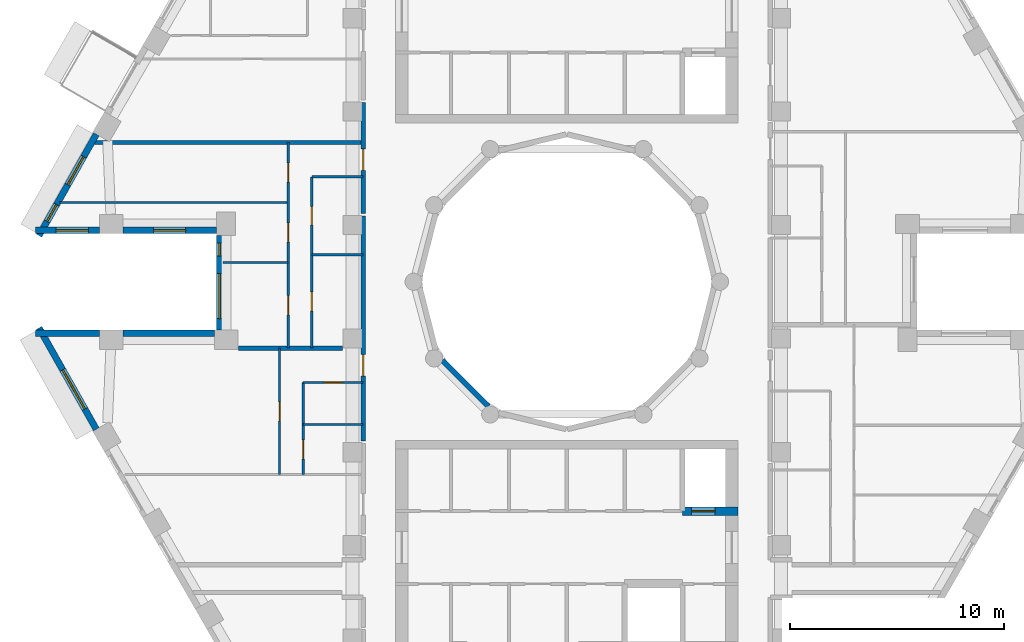
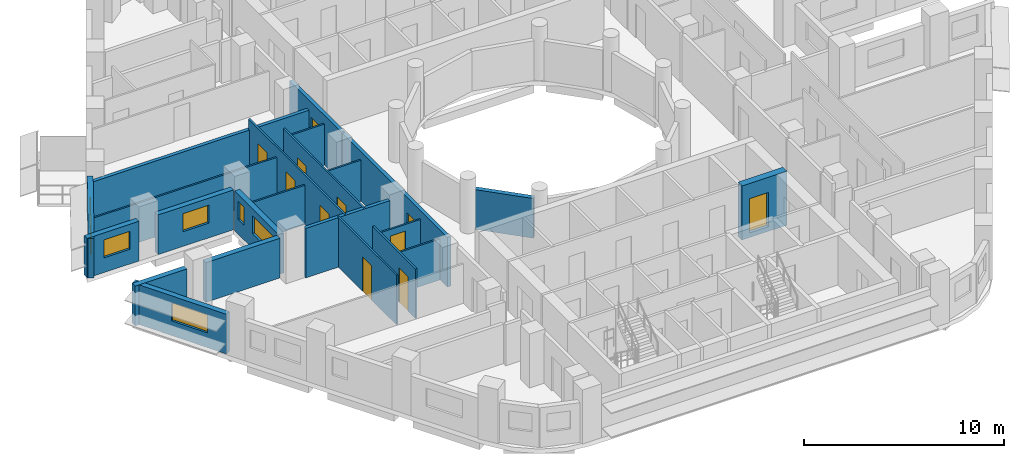
# One storey, part 4 of 13: 23 walls, 11 doors, 7 windows, 18 openings.
"""IFC4 building model written with IfcOpenShell, lengths in metres."""

from ifc_helpers import new_model, si_unit, direction, frame, frame_2d, origin, place, context, subcontext, project, spatial, rectangle, extrude, material, layer, layer_set, type_object, element, fill, save


model = new_model("IFC4")

# Units and contexts
model_context = context("Model", 3, precision=1e-05, world=origin(), true_north=direction((0.0, 1.0)))
body_context = subcontext(model_context, "Body", "Model", "MODEL_VIEW")
ifc_project = project(units=[si_unit("LENGTHUNIT", "METRE"), si_unit("AREAUNIT", "SQUARE_METRE"), si_unit("VOLUMEUNIT", "CUBIC_METRE"), si_unit("PLANEANGLEUNIT", "RADIAN"), si_unit("MASSUNIT", "GRAM", prefix="KILO")], contexts=[model_context])

# Site, building, storey
site_placement = place(None, origin())
site = spatial("IfcSite", under=ifc_project, at=site_placement, CompositionType="ELEMENT")
building_placement = place(site_placement, origin())
building = spatial("IfcBuilding", under=site, at=building_placement, Name="Nakaniwa Court", CompositionType="ELEMENT")
storey_placement = place(building_placement, frame((0.0, 0.0, 239.39990234375)))
storey = spatial("IfcBuildingStorey", under=building, at=storey_placement, Name="L62", CompositionType="ELEMENT", Elevation=239.39990234375)

# Wall, opening, door
ifc_material_1 = material(Name="Acoustic double stud partition")
ifc_layer_1 = layer(ifc_material_1, 0.199951171875)
ifc_layer_set_1 = layer_set([ifc_layer_1], Name="Acoustic double stud partition")
wall_type_1 = type_object("IfcWallType", Name="Acoustic double stud partition 200", PredefinedType="PARTITIONING", material=ifc_layer_set_1)
wall_1_placement = place(storey_placement, frame((70.5, 72.576904296875, 0.0), z_axis=(0.0, 0.0, 1.0), x_axis=(0.0, 1.0, 0.0)))
wall_1 = element("IfcWall", 1, at=wall_1_placement, inside=storey, type_object=wall_type_1, Name="Partition PW-094", PredefinedType="PARTITIONING", context=body_context, shape_type="SweptSolid", body=[
    extrude(rectangle(XDim=10.486083984375, YDim=0.199951171875, at=frame_2d((5.2431640625, 0.0))), origin(), (0.0, 0.0, 1.0), 3.025146484375),
])
opening_1_placement = place(wall_1_placement, frame((3.02294921875, 0.0, 0.0)))
opening_1 = element("IfcOpeningElement", 2, at=opening_1_placement, cuts=wall_1, Name="Opening D-01-03", PredefinedType="OPENING", context=body_context, shape_type="SweptSolid", body=[
    extrude(rectangle(XDim=1.0, YDim=2.10009765625, at=frame_2d((0.5, 1.050048828125))), frame((0.0, 0.10986328125, 0.0), z_axis=(0.0, -1.0, 0.0), x_axis=(1.0, 0.0, 0.0)), (0.0, 0.0, 1.0), 0.219970703125),
])
ifc_material_2 = material(Name="Solid core timber door set, black veneer", Category="wood")
door_type_1 = type_object("IfcDoorType", Name="Flat entrance door 1000", OperationType="NOTDEFINED", PredefinedType="DOOR", material=ifc_material_2)
door_1_placement = place(opening_1_placement, origin())
door_1 = element("IfcDoor", 3, at=door_1_placement, inside=storey, type_object=door_type_1, Name="Door D-01-03 L62-045", OperationType="SINGLE_SWING_RIGHT", OverallHeight=2.10009765625, OverallWidth=1.0, PredefinedType="DOOR", context=body_context, shape_type="SweptSolid", body=[
    extrude(rectangle(XDim=1.0, YDim=2.10009765625, at=frame_2d((0.5, 1.050048828125))), frame((0.0, 0.02490234375, 0.0), z_axis=(0.0, -1.0, 0.0), x_axis=(1.0, 0.0, 0.0)), (0.0, 0.0, 1.0), 0.050048828125),
])
fill(opening_1, door_1)

wall_2_placement = place(storey_placement, frame((70.5, 83.177001953125, 0.0), z_axis=(0.0, 0.0, 1.0), x_axis=(0.0, 1.0, 0.0)))
wall_2 = element("IfcWall", 4, at=wall_2_placement, inside=storey, type_object=wall_type_1, Name="Partition PW-095", PredefinedType="PARTITIONING", context=body_context, shape_type="SweptSolid", body=[
    extrude(rectangle(XDim=5.18603515625, YDim=0.199951171875, at=frame_2d((2.593017578125, 0.0))), origin(), (0.0, 0.0, 1.0), 3.025146484375),
])
opening_2_placement = place(wall_2_placement, frame((2.02294921875, 0.0, 0.0)))
opening_2 = element("IfcOpeningElement", 5, at=opening_2_placement, cuts=wall_2, Name="Opening D-01-04", PredefinedType="OPENING", context=body_context, shape_type="SweptSolid", body=[
    extrude(rectangle(XDim=1.0, YDim=2.10009765625, at=frame_2d((0.5, 1.050048828125))), frame((0.0, 0.10986328125, 0.0), z_axis=(0.0, -1.0, 0.0), x_axis=(1.0, 0.0, 0.0)), (0.0, 0.0, 1.0), 0.219970703125),
])
door_2_placement = place(opening_2_placement, origin())
door_2 = element("IfcDoor", 6, at=door_2_placement, inside=storey, type_object=door_type_1, Name="Door D-01-04 L62-049", OperationType="SINGLE_SWING_RIGHT", OverallHeight=2.10009765625, OverallWidth=1.0, PredefinedType="DOOR", context=body_context, shape_type="SweptSolid", body=[
    extrude(rectangle(XDim=1.0, YDim=2.10009765625, at=frame_2d((0.5, 1.050048828125))), frame((0.0, 0.02490234375, 0.0), z_axis=(0.0, -1.0, 0.0), x_axis=(1.0, 0.0, 0.0)), (0.0, 0.0, 1.0), 0.050048828125),
])
fill(opening_2, door_2)

# Walls
wall_3_placement = place(storey_placement, frame((64.67041015625, 76.89990234375, 0.0), z_axis=(0.0, 0.0, 1.0), x_axis=(1.0, 0.0, 0.0)))
element("IfcWall", 7, at=wall_3_placement, inside=storey, type_object=wall_type_1, Name="Partition PW-118", PredefinedType="PARTITIONING", context=body_context, shape_type="SweptSolid", body=[
    extrude(rectangle(XDim=4.859619140625, YDim=0.199951171875, at=frame_2d((2.4296875, 0.0))), origin(), (0.0, 0.0, 1.0), 3.025146484375),
])
wall_4_placement = place(storey_placement, frame((57.9453125, 86.5, 0.0), z_axis=(0.0, 0.0, 1.0), x_axis=(1.0, 0.0, 0.0)))
element("IfcWall", 8, at=wall_4_placement, inside=storey, type_object=wall_type_1, Name="Partition PW-123", PredefinedType="PARTITIONING", context=body_context, shape_type="SweptSolid", body=[
    extrude(rectangle(XDim=12.5546875, YDim=0.199951171875, at=frame_2d((6.27734375, 0.0))), origin(), (0.0, 0.0, 1.0), 2.405029296875),
])

# Wall, openings, windows
ifc_material_3 = material(Name="Charcoal ceramic cladding")
ifc_layer_2 = layer(ifc_material_3, 0.02, Name="Ceramic cladding")
ifc_material_4 = material(Name="Ventilated air cavity")
ifc_layer_3 = layer(ifc_material_4, 0.04, ventilated=True, Name="Ventilated cavity")
ifc_material_5 = material(Name="Mineral wool insulation")
ifc_layer_4 = layer(ifc_material_5, 0.1, Name="Insulation")
ifc_material_6 = material(Name="Cement bonded sheathing board")
ifc_layer_5 = layer(ifc_material_6, 0.012, Name="Sheathing")
ifc_material_7 = material(Name="Cold-formed galvanised stud frame with mineral wool infill")
ifc_layer_6 = layer(ifc_material_7, 0.1, Name="Stud frame")
ifc_material_8 = material(Name="Fire-rated gypsum plasterboard lining")
ifc_layer_7 = layer(ifc_material_8, 0.028, Name="Lining")
ifc_layer_set_2 = layer_set([ifc_layer_2, ifc_layer_3, ifc_layer_4, ifc_layer_5, ifc_layer_6, ifc_layer_7], Name="Charcoal ceramic faced external wall system")
wall_type_2 = type_object("IfcWallType", Name="Black ceramic faced external wall 300", PredefinedType="SOLIDWALL", material=ifc_layer_set_2)
wall_5_placement = place(storey_placement, frame((58.048095703125, 86.886474609375, 0.0), z_axis=(0.0, 0.0, 1.0), x_axis=(-0.492080931903, -0.870549456641, 0.0)))
wall_5 = element("IfcWall", 9, at=wall_5_placement, inside=storey, type_object=wall_type_2, Name="L62 external wall 14", PredefinedType="SOLIDWALL", context=body_context, shape_type="SweptSolid", body=[
    extrude(rectangle(XDim=5.436767578125, YDim=0.300048828125, at=frame_2d((2.71826171875, 0.0))), origin(), (0.0, 0.0, 1.0), 2.425048828125),
])
opening_3_placement = place(wall_5_placement, frame((1.2060546875, 0.0, 0.89990234375)))
opening_3 = element("IfcOpeningElement", 10, at=opening_3_placement, cuts=wall_5, Name="Opening W5.13", PredefinedType="OPENING", context=body_context, shape_type="SweptSolid", body=[
    extrude(rectangle(XDim=1.5, YDim=1.10009765625, at=frame_2d((0.75, 0.550048828125))), frame((0.0, 0.159912109375, 0.0), z_axis=(0.0, -1.0, 0.0), x_axis=(1.0, 0.0, 0.0)), (0.0, 0.0, 1.0), 0.320068359375),
])
opening_4_placement = place(wall_5_placement, frame((3.774658203125, 0.0, 0.89990234375)))
opening_4 = element("IfcOpeningElement", 11, at=opening_4_placement, cuts=wall_5, Name="Opening W9.14", PredefinedType="OPENING", context=body_context, shape_type="SweptSolid", body=[
    extrude(rectangle(XDim=0.89990234375, YDim=1.10009765625, at=frame_2d((0.449951171875, 0.550048828125))), frame((0.0, 0.159912109375, 0.0), z_axis=(0.0, -1.0, 0.0), x_axis=(1.0, 0.0, 0.0)), (0.0, 0.0, 1.0), 0.320068359375),
])
ifc_material_9 = material(Name="Black anodised aluminium frame with dark low-E laminated double glazing", Category="aluminium")
window_type_1 = type_object("IfcWindowType", Name="Dark glass window 1500x1100 sill 900", PartitioningType="SINGLE_PANEL", PredefinedType="WINDOW", material=ifc_material_9)
window_1_placement = place(opening_3_placement, origin())
window_1 = element("IfcWindow", 12, at=window_1_placement, inside=storey, type_object=window_type_1, Name="L62 bedroom window 14-1", OverallHeight=1.10009765625, OverallWidth=1.5, PartitioningType="SINGLE_PANEL", PredefinedType="WINDOW", context=body_context, shape_type="SweptSolid", body=[
    extrude(rectangle(XDim=1.5, YDim=1.10009765625, at=frame_2d((0.75, 0.550048828125))), frame((0.0, 0.030029296875, 0.0), z_axis=(0.0, -1.0, 0.0), x_axis=(1.0, 0.0, 0.0)), (0.0, 0.0, 1.0), 0.06005859375),
])
fill(opening_3, window_1)
window_type_2 = type_object("IfcWindowType", Name="Dark glass window 900x1100 sill 900", PartitioningType="SINGLE_PANEL", PredefinedType="WINDOW", material=ifc_material_9)
window_2_placement = place(opening_4_placement, origin())
window_2 = element("IfcWindow", 13, at=window_2_placement, inside=storey, type_object=window_type_2, Name="L62 bedroom window 14-2", OverallHeight=1.10009765625, OverallWidth=0.89990234375, PartitioningType="SINGLE_PANEL", PredefinedType="WINDOW", context=body_context, shape_type="SweptSolid", body=[
    extrude(rectangle(XDim=0.89990234375, YDim=1.10009765625, at=frame_2d((0.449951171875, 0.550048828125))), frame((0.0, 0.030029296875, 0.0), z_axis=(0.0, -1.0, 0.0), x_axis=(1.0, 0.0, 0.0)), (0.0, 0.0, 1.0), 0.06005859375),
])
fill(opening_4, window_2)

# Wall, opening, window
wall_6_placement = place(storey_placement, frame((55.2021484375, 82.39990234375, 0.0), z_axis=(0.0, 0.0, 1.0), x_axis=(1.0, 0.0, 0.0)))
wall_6 = element("IfcWall", 14, at=wall_6_placement, inside=storey, type_object=wall_type_2, Name="L62 external wall 15", PredefinedType="SOLIDWALL", context=body_context, shape_type="SweptSolid", body=[
    extrude(rectangle(XDim=2.98779296875, YDim=0.300048828125, at=frame_2d((1.493896484375, 0.0))), origin(), (0.0, 0.0, 1.0), 2.425048828125),
])
opening_5_placement = place(wall_6_placement, frame((0.968994140625, 0.0, 0.89990234375)))
opening_5 = element("IfcOpeningElement", 15, at=opening_5_placement, cuts=wall_6, Name="Opening W5.15", PredefinedType="OPENING", context=body_context, shape_type="SweptSolid", body=[
    extrude(rectangle(XDim=1.5, YDim=1.10009765625, at=frame_2d((0.75, 0.550048828125))), frame((0.0, 0.159912109375, 0.0), z_axis=(0.0, -1.0, 0.0), x_axis=(1.0, 0.0, 0.0)), (0.0, 0.0, 1.0), 0.320068359375),
])
window_3_placement = place(opening_5_placement, origin())
window_3 = element("IfcWindow", 16, at=window_3_placement, inside=storey, type_object=window_type_1, Name="L62 bedroom window 15-0", OverallHeight=1.10009765625, OverallWidth=1.5, PartitioningType="SINGLE_PANEL", PredefinedType="WINDOW", context=body_context, shape_type="SweptSolid", body=[
    extrude(rectangle(XDim=1.5, YDim=1.10009765625, at=frame_2d((0.75, 0.550048828125))), frame((0.0, 0.030029296875, 0.0), z_axis=(0.0, -1.0, 0.0), x_axis=(1.0, 0.0, 0.0)), (0.0, 0.0, 1.0), 0.06005859375),
])
fill(opening_5, window_3)

wall_7_placement = place(storey_placement, frame((59.281982421875, 82.39990234375, 0.0), z_axis=(0.0, 0.0, 1.0), x_axis=(1.0, 0.0, 0.0)))
wall_7 = element("IfcWall", 17, at=wall_7_placement, inside=storey, type_object=wall_type_2, Name="L62 external wall 16", PredefinedType="SOLIDWALL", context=body_context, shape_type="SweptSolid", body=[
    extrude(rectangle(XDim=4.37255859375, YDim=0.300048828125, at=frame_2d((2.186279296875, 0.0))), origin(), (0.0, 0.0, 1.0), 2.425048828125),
])
opening_6_placement = place(wall_7_placement, frame((1.436279296875, 0.0, 0.89990234375)))
opening_6 = element("IfcOpeningElement", 18, at=opening_6_placement, cuts=wall_7, Name="Opening W5.16", PredefinedType="OPENING", context=body_context, shape_type="SweptSolid", body=[
    extrude(rectangle(XDim=1.5, YDim=1.10009765625, at=frame_2d((0.75, 0.550048828125))), frame((0.0, 0.159912109375, 0.0), z_axis=(0.0, -1.0, 0.0), x_axis=(1.0, 0.0, 0.0)), (0.0, 0.0, 1.0), 0.320068359375),
])
window_4_placement = place(opening_6_placement, origin())
window_4 = element("IfcWindow", 19, at=window_4_placement, inside=storey, type_object=window_type_1, Name="L62 bedroom window 16-0", OverallHeight=1.10009765625, OverallWidth=1.5, PartitioningType="SINGLE_PANEL", PredefinedType="WINDOW", context=body_context, shape_type="SweptSolid", body=[
    extrude(rectangle(XDim=1.5, YDim=1.10009765625, at=frame_2d((0.75, 0.550048828125))), frame((0.0, 0.030029296875, 0.0), z_axis=(0.0, -1.0, 0.0), x_axis=(1.0, 0.0, 0.0)), (0.0, 0.0, 1.0), 0.06005859375),
])
fill(opening_6, window_4)

# Wall, openings, windows
wall_8_placement = place(storey_placement, frame((63.800537109375, 82.154052734375, 0.0), z_axis=(0.0, 0.0, 1.0), x_axis=(0.0, -1.0, 0.0)))
wall_8 = element("IfcWall", 20, at=wall_8_placement, inside=storey, type_object=wall_type_2, Name="L62 external wall 17", PredefinedType="SOLIDWALL", context=body_context, shape_type="SweptSolid", body=[
    extrude(rectangle(XDim=4.407958984375, YDim=0.300048828125, at=frame_2d((2.2041015625, 0.0))), origin(), (0.0, 0.0, 1.0), 2.425048828125),
])
opening_7_placement = place(wall_8_placement, frame((0.35205078125, 0.0, 0.89990234375)))
opening_7 = element("IfcOpeningElement", 21, at=opening_7_placement, cuts=wall_8, Name="Opening W8.17", PredefinedType="OPENING", context=body_context, shape_type="SweptSolid", body=[
    extrude(rectangle(XDim=0.60009765625, YDim=1.10009765625, at=frame_2d((0.300048828125, 0.550048828125))), frame((0.0, 0.159912109375, 0.0), z_axis=(0.0, -1.0, 0.0), x_axis=(1.0, 0.0, 0.0)), (0.0, 0.0, 1.0), 0.320068359375),
])
opening_8_placement = place(wall_8_placement, frame((1.76904296875, 0.0, 0.89990234375)))
opening_8 = element("IfcOpeningElement", 22, at=opening_8_placement, cuts=wall_8, Name="Opening W7.18", PredefinedType="OPENING", context=body_context, shape_type="SweptSolid", body=[
    extrude(rectangle(XDim=2.10009765625, YDim=1.10009765625, at=frame_2d((1.050048828125, 0.550048828125))), frame((0.0, 0.159912109375, 0.0), z_axis=(0.0, -1.0, 0.0), x_axis=(1.0, 0.0, 0.0)), (0.0, 0.0, 1.0), 0.320068359375),
])
window_type_3 = type_object("IfcWindowType", Name="Dark glass window 2100x1100 sill 900", PartitioningType="SINGLE_PANEL", PredefinedType="WINDOW", material=ifc_material_9)
window_5_placement = place(opening_8_placement, origin())
window_5 = element("IfcWindow", 23, at=window_5_placement, inside=storey, type_object=window_type_3, Name="L62 living window 17-1", OverallHeight=1.10009765625, OverallWidth=2.10009765625, PartitioningType="SINGLE_PANEL", PredefinedType="WINDOW", context=body_context, shape_type="SweptSolid", body=[
    extrude(rectangle(XDim=2.10009765625, YDim=1.10009765625, at=frame_2d((1.050048828125, 0.550048828125))), frame((0.0, 0.030029296875, 0.0), z_axis=(0.0, -1.0, 0.0), x_axis=(1.0, 0.0, 0.0)), (0.0, 0.0, 1.0), 0.06005859375),
])
fill(opening_8, window_5)
window_type_4 = type_object("IfcWindowType", Name="Dark glass window 600x1100 sill 900", PartitioningType="SINGLE_PANEL", PredefinedType="WINDOW", material=ifc_material_9)
window_6_placement = place(opening_7_placement, origin())
window_6 = element("IfcWindow", 24, at=window_6_placement, inside=storey, type_object=window_type_4, Name="L62 bedroom window 17-0", OverallHeight=1.10009765625, OverallWidth=0.60009765625, PartitioningType="SINGLE_PANEL", PredefinedType="WINDOW", context=body_context, shape_type="SweptSolid", body=[
    extrude(rectangle(XDim=0.60009765625, YDim=1.10009765625, at=frame_2d((0.300048828125, 0.550048828125))), frame((0.0, 0.030029296875, 0.0), z_axis=(0.0, -1.0, 0.0), x_axis=(1.0, 0.0, 0.0)), (0.0, 0.0, 1.0), 0.06005859375),
])
fill(opening_7, window_6)

# Walls
wall_9_placement = place(storey_placement, frame((63.554443359375, 77.60009765625, 0.0), z_axis=(0.0, 0.0, 1.0), x_axis=(-1.0, 0.0, 0.0)))
element("IfcWall", 25, at=wall_9_placement, inside=storey, type_object=wall_type_2, Name="L62 external wall 18", PredefinedType="SOLIDWALL", context=body_context, shape_type="SweptSolid", body=[
    extrude(rectangle(XDim=4.2724609375, YDim=0.300048828125, at=frame_2d((2.13623046875, 0.0))), origin(), (0.0, 0.0, 1.0), 2.425048828125),
])
wall_10_placement = place(storey_placement, frame((58.18994140625, 77.60009765625, 0.0), z_axis=(0.0, 0.0, 1.0), x_axis=(-1.0, 0.0, 0.0)))
element("IfcWall", 26, at=wall_10_placement, inside=storey, type_object=wall_type_2, Name="L62 external wall 19", PredefinedType="SOLIDWALL", context=body_context, shape_type="SweptSolid", body=[
    extrude(rectangle(XDim=2.98779296875, YDim=0.300048828125, at=frame_2d((1.493896484375, 0.0))), origin(), (0.0, 0.0, 1.0), 2.425048828125),
])

# Wall, opening, window
wall_11_placement = place(storey_placement, frame((55.372802734375, 77.846435546875, 0.0), z_axis=(0.0, 0.0, 1.0), x_axis=(0.492080931903, -0.870549456641, 0.0)))
wall_11 = element("IfcWall", 27, at=wall_11_placement, inside=storey, type_object=wall_type_2, Name="L62 external wall 20", PredefinedType="SOLIDWALL", context=body_context, shape_type="SweptSolid", body=[
    extrude(rectangle(XDim=5.436767578125, YDim=0.300048828125, at=frame_2d((2.71826171875, 0.0))), origin(), (0.0, 0.0, 1.0), 2.425048828125),
])
opening_9_placement = place(wall_11_placement, frame((2.247314453125, 0.0, 0.89990234375)))
opening_9 = element("IfcOpeningElement", 28, at=opening_9_placement, cuts=wall_11, Name="Opening W7.19", PredefinedType="OPENING", context=body_context, shape_type="SweptSolid", body=[
    extrude(rectangle(XDim=2.10009765625, YDim=1.10009765625, at=frame_2d((1.050048828125, 0.550048828125))), frame((0.0, 0.159912109375, 0.0), z_axis=(0.0, -1.0, 0.0), x_axis=(1.0, 0.0, 0.0)), (0.0, 0.0, 1.0), 0.320068359375),
])
window_7_placement = place(opening_9_placement, origin())
window_7 = element("IfcWindow", 29, at=window_7_placement, inside=storey, type_object=window_type_3, Name="L62 living window 20-0", OverallHeight=1.10009765625, OverallWidth=2.10009765625, PartitioningType="SINGLE_PANEL", PredefinedType="WINDOW", context=body_context, shape_type="SweptSolid", body=[
    extrude(rectangle(XDim=2.10009765625, YDim=1.10009765625, at=frame_2d((1.050048828125, 0.550048828125))), frame((0.0, 0.030029296875, 0.0), z_axis=(0.0, -1.0, 0.0), x_axis=(1.0, 0.0, 0.0)), (0.0, 0.0, 1.0), 0.06005859375),
])
fill(opening_9, window_7)

# Wall
ifc_layer_8 = layer(ifc_material_3, 0.02, Name="Ceramic cladding")
ifc_layer_9 = layer(ifc_material_4, 0.04, ventilated=True, Name="Ventilated cavity")
ifc_layer_10 = layer(ifc_material_5, 0.075, Name="Insulation")
ifc_layer_11 = layer(ifc_material_6, 0.012, Name="Sheathing")
ifc_layer_12 = layer(ifc_material_7, 0.075, Name="Stud frame")
ifc_layer_13 = layer(ifc_material_8, 0.028, Name="Lining")
ifc_layer_set_3 = layer_set([ifc_layer_8, ifc_layer_9, ifc_layer_10, ifc_layer_11, ifc_layer_12, ifc_layer_13], Name="Charcoal ceramic faced external wall system")
wall_type_3 = type_object("IfcWallType", Name="Charcoal ceramic faced well wall 250", PredefinedType="SOLIDWALL", material=ifc_layer_set_3)
wall_12_placement = place(storey_placement, frame((76.339111328125, 74.1943359375, 0.0), z_axis=(0.0, 0.0, 1.0), x_axis=(-0.707106781187, 0.707106781187, 0.0)))
element("IfcWall", 30, at=wall_12_placement, inside=storey, type_object=wall_type_3, Name="L62 external wall 40", PredefinedType="SOLIDWALL", context=body_context, shape_type="SweptSolid", body=[
    extrude(rectangle(XDim=3.033203125, YDim=0.25, at=frame_2d((1.5166015625, 0.0))), origin(), (0.0, 0.0, 1.0), 2.425048828125),
])

# Wall, opening, door
ifc_material_10 = material(Name="Concrete C80/100", Category="concrete")
ifc_layer_14 = layer(ifc_material_10, 0.39990234375)
ifc_layer_set_4 = layer_set([ifc_layer_14], Name="Concrete C80/100")
wall_type_4 = type_object("IfcWallType", Name="Concrete core spine wall 400 C80", PredefinedType="SHEAR", material=ifc_layer_set_4)
wall_13_placement = place(storey_placement, frame((85.39990234375, 69.300048828125, -0.27490234375), z_axis=(0.0, 0.0, 1.0), x_axis=(1.0, 0.0, 0.0)))
wall_13 = element("IfcWall", 31, at=wall_13_placement, inside=storey, type_object=wall_type_4, Name="Core wall SW-37", PredefinedType="SHEAR", context=body_context, shape_type="SweptSolid", body=[
    extrude(rectangle(XDim=2.60009765625, YDim=0.39990234375, at=frame_2d((1.300048828125, 0.0))), origin(), (0.0, 0.0, 1.0), 3.300048828125),
])
opening_10_placement = place(wall_13_placement, frame((0.425048828125, 0.0, 0.27490234375)))
opening_10 = element("IfcOpeningElement", 32, at=opening_10_placement, cuts=wall_13, Name="Opening LD03", PredefinedType="OPENING", context=body_context, shape_type="SweptSolid", body=[
    extrude(rectangle(XDim=1.10009765625, YDim=2.10009765625, at=frame_2d((0.550048828125, 1.050048828125))), frame((0.0, 0.2099609375, 0.0), z_axis=(0.0, -1.0, 0.0), x_axis=(1.0, 0.0, 0.0)), (0.0, 0.0, 1.0), 0.419921875),
])
ifc_material_11 = material(Name="Stainless steel sliding lift landing door", Category="steel")
door_type_2 = type_object("IfcDoorType", Name="Lift landing door 1100", OperationType="NOTDEFINED", PredefinedType="DOOR", material=ifc_material_11)
door_3_placement = place(opening_10_placement, origin())
door_3 = element("IfcDoor", 33, at=door_3_placement, inside=storey, type_object=door_type_2, Name="Lift landing door LD03 L62-003", OperationType="SLIDING_TO_LEFT", OverallHeight=2.10009765625, OverallWidth=1.10009765625, PredefinedType="DOOR", context=body_context, shape_type="SweptSolid", body=[
    extrude(rectangle(XDim=1.10009765625, YDim=2.10009765625, at=frame_2d((0.550048828125, 1.050048828125))), frame((0.0, 0.02490234375, 0.0), z_axis=(0.0, -1.0, 0.0), x_axis=(1.0, 0.0, 0.0)), (0.0, 0.0, 1.0), 0.050048828125),
])
fill(opening_10, door_3)

# Wall
ifc_material_12 = material(Name="Single stud plasterboard partition")
ifc_layer_15 = layer(ifc_material_12, 0.10009765625)
ifc_layer_set_5 = layer_set([ifc_layer_15], Name="Single stud plasterboard partition")
wall_type_5 = type_object("IfcWallType", Name="Single stud plasterboard partition 100", PredefinedType="PARTITIONING", material=ifc_layer_set_5)
wall_14_placement = place(storey_placement, frame((67.699951171875, 73.345947265625, 0.0), z_axis=(0.0, 0.0, 1.0), x_axis=(1.0, 0.0, 0.0)))
element("IfcWall", 34, at=wall_14_placement, inside=storey, type_object=wall_type_5, Name="Partition PW-113", PredefinedType="PARTITIONING", context=body_context, shape_type="SweptSolid", body=[
    extrude(rectangle(XDim=2.800048828125, YDim=0.10009765625, at=frame_2d((1.39990234375, 0.0))), origin(), (0.0, 0.0, 1.0), 2.505126953125),
])

# Wall, opening, door
wall_15_placement = place(storey_placement, frame((67.699951171875, 75.300048828125, 0.0), z_axis=(0.0, 0.0, 1.0), x_axis=(0.0, -1.0, 0.0)))
wall_15 = element("IfcWall", 35, at=wall_15_placement, inside=storey, type_object=wall_type_5, Name="Partition PW-114", PredefinedType="PARTITIONING", context=body_context, shape_type="SweptSolid", body=[
    extrude(rectangle(XDim=4.300048828125, YDim=0.10009765625, at=frame_2d((2.14990234375, 0.0))), origin(), (0.0, 0.0, 1.0), 3.025146484375),
])
opening_11_placement = place(wall_15_placement, frame((2.677001953125, 0.0, 0.0)))
opening_11 = element("IfcOpeningElement", 36, at=opening_11_placement, cuts=wall_15, Name="Opening D-33-07", PredefinedType="OPENING", context=body_context, shape_type="SweptSolid", body=[
    extrude(rectangle(XDim=0.89990234375, YDim=2.10009765625, at=frame_2d((0.449951171875, 1.050048828125))), frame((0.0, 0.06005859375, 0.0), z_axis=(0.0, -1.0, 0.0), x_axis=(1.0, 0.0, 0.0)), (0.0, 0.0, 1.0), 0.1201171875),
])
door_type_3 = type_object("IfcDoorType", Name="Internal door 900", OperationType="NOTDEFINED", PredefinedType="DOOR", material=ifc_material_2)
door_4_placement = place(opening_11_placement, origin())
door_4 = element("IfcDoor", 37, at=door_4_placement, inside=storey, type_object=door_type_3, Name="Door D-33-07 L62-046", OperationType="SINGLE_SWING_LEFT", OverallHeight=2.10009765625, OverallWidth=0.89990234375, PredefinedType="DOOR", context=body_context, shape_type="SweptSolid", body=[
    extrude(rectangle(XDim=0.89990234375, YDim=2.10009765625, at=frame_2d((0.449951171875, 1.050048828125))), frame((0.0, 0.02490234375, 0.0), z_axis=(0.0, -1.0, 0.0), x_axis=(1.0, 0.0, 0.0)), (0.0, 0.0, 1.0), 0.050048828125),
])
fill(opening_11, door_4)

wall_16_placement = place(storey_placement, frame((70.5, 75.300048828125, 0.0), z_axis=(0.0, 0.0, 1.0), x_axis=(-1.0, 0.0, 0.0)))
wall_16 = element("IfcWall", 38, at=wall_16_placement, inside=storey, type_object=wall_type_5, Name="Partition PW-116", PredefinedType="PARTITIONING", context=body_context, shape_type="SweptSolid", body=[
    extrude(rectangle(XDim=2.800048828125, YDim=0.10009765625, at=frame_2d((1.39990234375, 0.0))), origin(), (0.0, 0.0, 1.0), 2.505126953125),
])
opening_12_placement = place(wall_16_placement, frame((0.97509765625, 0.0, 0.0)))
opening_12 = element("IfcOpeningElement", 39, at=opening_12_placement, cuts=wall_16, Name="Opening D-03-03", PredefinedType="OPENING", context=body_context, shape_type="SweptSolid", body=[
    extrude(rectangle(XDim=0.85009765625, YDim=2.10009765625, at=frame_2d((0.425048828125, 1.050048828125))), frame((0.0, 0.06005859375, 0.0), z_axis=(0.0, -1.0, 0.0), x_axis=(1.0, 0.0, 0.0)), (0.0, 0.0, 1.0), 0.1201171875),
])
ifc_material_13 = material(Name="Moisture sealed timber door set", Category="wood")
door_type_4 = type_object("IfcDoorType", Name="Bathroom door 850", OperationType="NOTDEFINED", PredefinedType="DOOR", material=ifc_material_13)
door_5_placement = place(opening_12_placement, origin())
door_5 = element("IfcDoor", 40, at=door_5_placement, inside=storey, type_object=door_type_4, Name="Door D-03-03 L62-047", OperationType="SINGLE_SWING_RIGHT", OverallHeight=2.10009765625, OverallWidth=0.85009765625, PredefinedType="DOOR", context=body_context, shape_type="SweptSolid", body=[
    extrude(rectangle(XDim=0.85009765625, YDim=2.10009765625, at=frame_2d((0.425048828125, 1.050048828125))), frame((0.0, 0.02490234375, 0.0), z_axis=(0.0, -1.0, 0.0), x_axis=(1.0, 0.0, 0.0)), (0.0, 0.0, 1.0), 0.050048828125),
])
fill(opening_12, door_5)

wall_17_placement = place(storey_placement, frame((66.60009765625, 71.0, 0.0), z_axis=(0.0, 0.0, 1.0), x_axis=(0.0, 1.0, 0.0)))
wall_17 = element("IfcWall", 41, at=wall_17_placement, inside=storey, type_object=wall_type_5, Name="Partition PW-117", PredefinedType="PARTITIONING", context=body_context, shape_type="SweptSolid", body=[
    extrude(rectangle(XDim=5.89990234375, YDim=0.10009765625, at=frame_2d((2.949951171875, 0.0))), origin(), (0.0, 0.0, 1.0), 3.025146484375),
])
opening_13_placement = place(wall_17_placement, frame((2.5, 0.0, 0.0)))
opening_13 = element("IfcOpeningElement", 42, at=opening_13_placement, cuts=wall_17, Name="Opening D-33-08", PredefinedType="OPENING", context=body_context, shape_type="SweptSolid", body=[
    extrude(rectangle(XDim=0.89990234375, YDim=2.10009765625, at=frame_2d((0.449951171875, 1.050048828125))), frame((0.0, 0.06005859375, 0.0), z_axis=(0.0, -1.0, 0.0), x_axis=(1.0, 0.0, 0.0)), (0.0, 0.0, 1.0), 0.1201171875),
])
door_6_placement = place(opening_13_placement, origin())
door_6 = element("IfcDoor", 43, at=door_6_placement, inside=storey, type_object=door_type_3, Name="Door D-33-08 L62-048", OperationType="SINGLE_SWING_LEFT", OverallHeight=2.10009765625, OverallWidth=0.89990234375, PredefinedType="DOOR", context=body_context, shape_type="SweptSolid", body=[
    extrude(rectangle(XDim=0.89990234375, YDim=2.10009765625, at=frame_2d((0.449951171875, 1.050048828125))), frame((0.0, 0.02490234375, 0.0), z_axis=(0.0, -1.0, 0.0), x_axis=(1.0, 0.0, 0.0)), (0.0, 0.0, 1.0), 0.050048828125),
])
fill(opening_13, door_6)

# Wall
wall_18_placement = place(storey_placement, frame((68.10009765625, 81.263916015625, 0.0), z_axis=(0.0, 0.0, 1.0), x_axis=(1.0, 0.0, 0.0)))
element("IfcWall", 44, at=wall_18_placement, inside=storey, type_object=wall_type_5, Name="Partition PW-119", PredefinedType="PARTITIONING", context=body_context, shape_type="SweptSolid", body=[
    extrude(rectangle(XDim=2.39990234375, YDim=0.10009765625, at=frame_2d((1.199951171875, 0.0))), origin(), (0.0, 0.0, 1.0), 2.505126953125),
])

# Wall, openings, doors
wall_19_placement = place(storey_placement, frame((68.10009765625, 84.89990234375, 0.0), z_axis=(0.0, 0.0, 1.0), x_axis=(0.0, -1.0, 0.0)))
wall_19 = element("IfcWall", 45, at=wall_19_placement, inside=storey, type_object=wall_type_5, Name="Partition PW-120", PredefinedType="PARTITIONING", context=body_context, shape_type="SweptSolid", body=[
    extrude(rectangle(XDim=8.0, YDim=0.10009765625, at=frame_2d((4.0, 0.0))), origin(), (0.0, 0.0, 1.0), 3.025146484375),
])
opening_14_placement = place(wall_19_placement, frame((5.367919921875, 0.0, 0.0)))
opening_14 = element("IfcOpeningElement", 46, at=opening_14_placement, cuts=wall_19, Name="Opening D-33-09", PredefinedType="OPENING", context=body_context, shape_type="SweptSolid", body=[
    extrude(rectangle(XDim=0.89990234375, YDim=2.10009765625, at=frame_2d((0.449951171875, 1.050048828125))), frame((0.0, 0.06005859375, 0.0), z_axis=(0.0, -1.0, 0.0), x_axis=(1.0, 0.0, 0.0)), (0.0, 0.0, 1.0), 0.1201171875),
])
opening_15_placement = place(wall_19_placement, frame((1.39306640625, 0.0, 0.0)))
opening_15 = element("IfcOpeningElement", 47, at=opening_15_placement, cuts=wall_19, Name="Opening D-03-04", PredefinedType="OPENING", context=body_context, shape_type="SweptSolid", body=[
    extrude(rectangle(XDim=0.85009765625, YDim=2.10009765625, at=frame_2d((0.425048828125, 1.050048828125))), frame((0.0, 0.06005859375, 0.0), z_axis=(0.0, -1.0, 0.0), x_axis=(1.0, 0.0, 0.0)), (0.0, 0.0, 1.0), 0.1201171875),
])
door_7_placement = place(opening_15_placement, origin())
door_7 = element("IfcDoor", 48, at=door_7_placement, inside=storey, type_object=door_type_4, Name="Door D-03-04 L62-051", OperationType="SINGLE_SWING_RIGHT", OverallHeight=2.10009765625, OverallWidth=0.85009765625, PredefinedType="DOOR", context=body_context, shape_type="SweptSolid", body=[
    extrude(rectangle(XDim=0.85009765625, YDim=2.10009765625, at=frame_2d((0.425048828125, 1.050048828125))), frame((0.0, 0.02490234375, 0.0), z_axis=(0.0, -1.0, 0.0), x_axis=(1.0, 0.0, 0.0)), (0.0, 0.0, 1.0), 0.050048828125),
])
fill(opening_15, door_7)
door_8_placement = place(opening_14_placement, origin())
door_8 = element("IfcDoor", 49, at=door_8_placement, inside=storey, type_object=door_type_3, Name="Door D-33-09 L62-050", OperationType="SINGLE_SWING_LEFT", OverallHeight=2.10009765625, OverallWidth=0.89990234375, PredefinedType="DOOR", context=body_context, shape_type="SweptSolid", body=[
    extrude(rectangle(XDim=0.89990234375, YDim=2.10009765625, at=frame_2d((0.449951171875, 1.050048828125))), frame((0.0, 0.02490234375, 0.0), z_axis=(0.0, -1.0, 0.0), x_axis=(1.0, 0.0, 0.0)), (0.0, 0.0, 1.0), 0.050048828125),
])
fill(opening_14, door_8)

# Wall
wall_20_placement = place(storey_placement, frame((68.10009765625, 84.89990234375, 0.0), z_axis=(0.0, 0.0, 1.0), x_axis=(1.0, 0.0, 0.0)))
element("IfcWall", 50, at=wall_20_placement, inside=storey, type_object=wall_type_5, Name="Partition PW-121", PredefinedType="PARTITIONING", context=body_context, shape_type="SweptSolid", body=[
    extrude(rectangle(XDim=2.39990234375, YDim=0.10009765625, at=frame_2d((1.199951171875, 0.0))), origin(), (0.0, 0.0, 1.0), 2.505126953125),
])

# Wall, openings, doors
wall_21_placement = place(storey_placement, frame((67.0, 76.89990234375, 0.0), z_axis=(0.0, 0.0, 1.0), x_axis=(0.0, 1.0, 0.0)))
wall_21 = element("IfcWall", 51, at=wall_21_placement, inside=storey, type_object=wall_type_5, Name="Partition PW-122", PredefinedType="PARTITIONING", context=body_context, shape_type="SweptSolid", body=[
    extrude(rectangle(XDim=9.60009765625, YDim=0.10009765625, at=frame_2d((4.800048828125, 0.0))), origin(), (0.0, 0.0, 1.0), 3.025146484375),
])
opening_16_placement = place(wall_21_placement, frame((1.550048828125, 0.0, 0.0)))
opening_16 = element("IfcOpeningElement", 52, at=opening_16_placement, cuts=wall_21, Name="Opening D-33-10", PredefinedType="OPENING", context=body_context, shape_type="SweptSolid", body=[
    extrude(rectangle(XDim=0.89990234375, YDim=2.10009765625, at=frame_2d((0.449951171875, 1.050048828125))), frame((0.0, 0.06005859375, 0.0), z_axis=(0.0, -1.0, 0.0), x_axis=(1.0, 0.0, 0.0)), (0.0, 0.0, 1.0), 0.1201171875),
])
opening_17_placement = place(wall_21_placement, frame((4.949951171875, 0.0, 0.0)))
opening_17 = element("IfcOpeningElement", 53, at=opening_17_placement, cuts=wall_21, Name="Opening D-33-11", PredefinedType="OPENING", context=body_context, shape_type="SweptSolid", body=[
    extrude(rectangle(XDim=0.89990234375, YDim=2.10009765625, at=frame_2d((0.449951171875, 1.050048828125))), frame((0.0, 0.06005859375, 0.0), z_axis=(0.0, -1.0, 0.0), x_axis=(1.0, 0.0, 0.0)), (0.0, 0.0, 1.0), 0.1201171875),
])
opening_18_placement = place(wall_21_placement, frame((7.75, 0.0, 0.0)))
opening_18 = element("IfcOpeningElement", 54, at=opening_18_placement, cuts=wall_21, Name="Opening D-33-12", PredefinedType="OPENING", context=body_context, shape_type="SweptSolid", body=[
    extrude(rectangle(XDim=0.89990234375, YDim=2.10009765625, at=frame_2d((0.449951171875, 1.050048828125))), frame((0.0, 0.06005859375, 0.0), z_axis=(0.0, -1.0, 0.0), x_axis=(1.0, 0.0, 0.0)), (0.0, 0.0, 1.0), 0.1201171875),
])
door_9_placement = place(opening_16_placement, origin())
door_9 = element("IfcDoor", 55, at=door_9_placement, inside=storey, type_object=door_type_3, Name="Door D-33-10 L62-052", OperationType="SINGLE_SWING_LEFT", OverallHeight=2.10009765625, OverallWidth=0.89990234375, PredefinedType="DOOR", context=body_context, shape_type="SweptSolid", body=[
    extrude(rectangle(XDim=0.89990234375, YDim=2.10009765625, at=frame_2d((0.449951171875, 1.050048828125))), frame((0.0, 0.02490234375, 0.0), z_axis=(0.0, -1.0, 0.0), x_axis=(1.0, 0.0, 0.0)), (0.0, 0.0, 1.0), 0.050048828125),
])
fill(opening_16, door_9)
door_10_placement = place(opening_17_placement, origin())
door_10 = element("IfcDoor", 56, at=door_10_placement, inside=storey, type_object=door_type_3, Name="Door D-33-11 L62-053", OperationType="SINGLE_SWING_RIGHT", OverallHeight=2.10009765625, OverallWidth=0.89990234375, PredefinedType="DOOR", context=body_context, shape_type="SweptSolid", body=[
    extrude(rectangle(XDim=0.89990234375, YDim=2.10009765625, at=frame_2d((0.449951171875, 1.050048828125))), frame((0.0, 0.02490234375, 0.0), z_axis=(0.0, -1.0, 0.0), x_axis=(1.0, 0.0, 0.0)), (0.0, 0.0, 1.0), 0.050048828125),
])
fill(opening_17, door_10)
door_11_placement = place(opening_18_placement, origin())
door_11 = element("IfcDoor", 57, at=door_11_placement, inside=storey, type_object=door_type_3, Name="Door D-33-12 L62-054", OperationType="SINGLE_SWING_LEFT", OverallHeight=2.10009765625, OverallWidth=0.89990234375, PredefinedType="DOOR", context=body_context, shape_type="SweptSolid", body=[
    extrude(rectangle(XDim=0.89990234375, YDim=2.10009765625, at=frame_2d((0.449951171875, 1.050048828125))), frame((0.0, 0.02490234375, 0.0), z_axis=(0.0, -1.0, 0.0), x_axis=(1.0, 0.0, 0.0)), (0.0, 0.0, 1.0), 0.050048828125),
])
fill(opening_18, door_11)

# Walls
wall_22_placement = place(storey_placement, frame((63.950439453125, 80.89990234375, 0.0), z_axis=(0.0, 0.0, 1.0), x_axis=(1.0, 0.0, 0.0)))
element("IfcWall", 58, at=wall_22_placement, inside=storey, type_object=wall_type_5, Name="Partition PW-124", PredefinedType="PARTITIONING", context=body_context, shape_type="SweptSolid", body=[
    extrude(rectangle(XDim=3.049560546875, YDim=0.10009765625, at=frame_2d((1.52490234375, 0.0))), origin(), (0.0, 0.0, 1.0), 2.405029296875),
])
wall_23_placement = place(storey_placement, frame((56.32861328125, 83.699951171875, 0.0), z_axis=(0.0, 0.0, 1.0), x_axis=(1.0, 0.0, 0.0)))
element("IfcWall", 59, at=wall_23_placement, inside=storey, type_object=wall_type_5, Name="Partition PW-125", PredefinedType="PARTITIONING", context=body_context, shape_type="SweptSolid", body=[
    extrude(rectangle(XDim=10.67138671875, YDim=0.10009765625, at=frame_2d((5.335693359375, 0.0))), origin(), (0.0, 0.0, 1.0), 2.405029296875),
])

save(model, "model.ifc")
